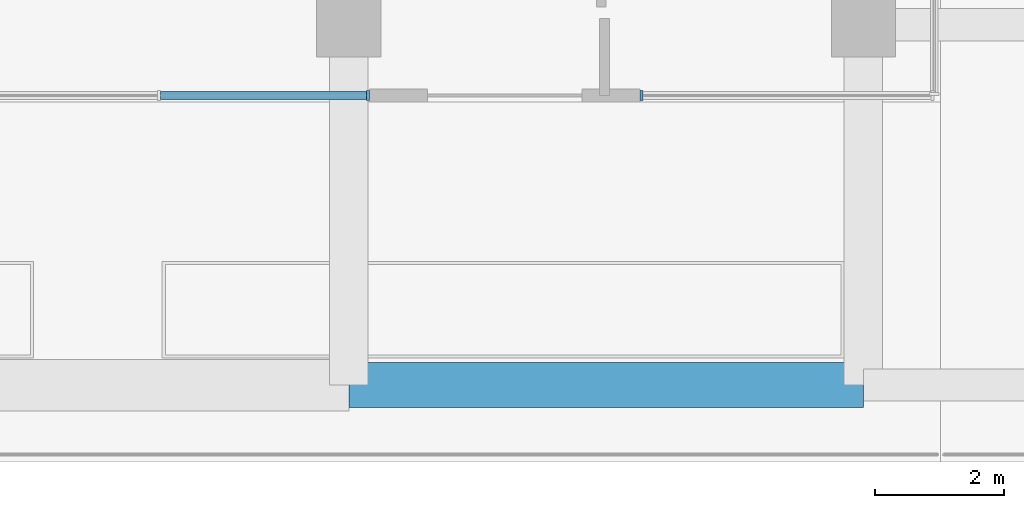
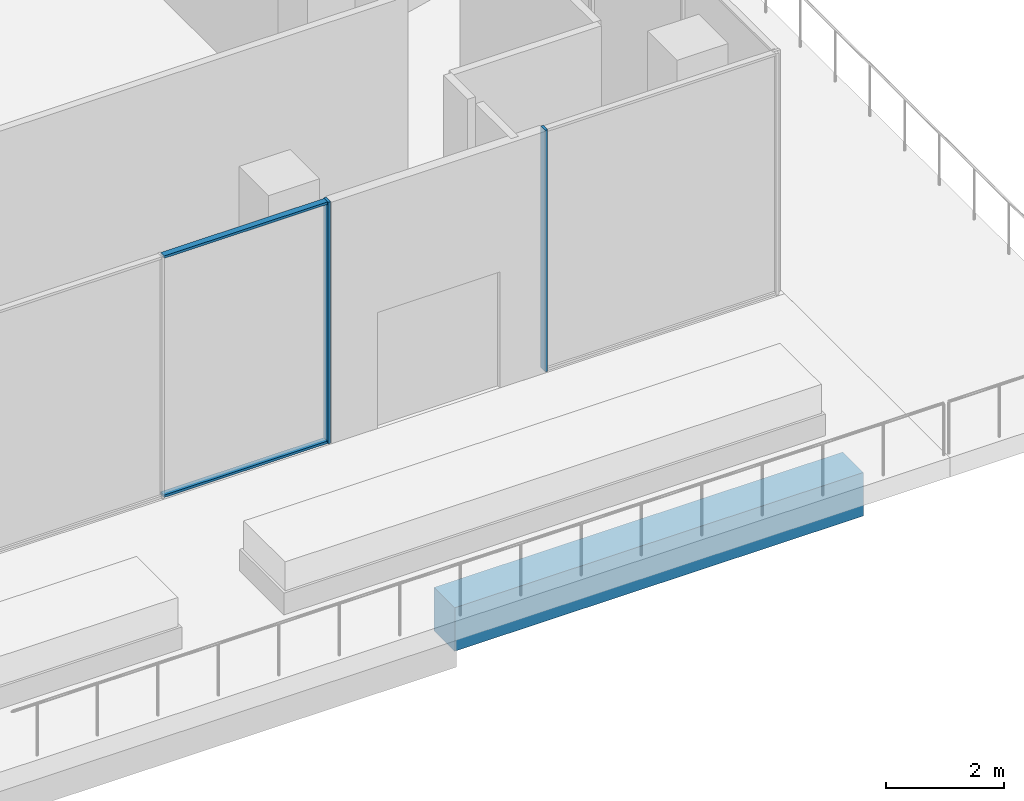
# One storey, part 7 of 32: 4 members, 1 beam, 2 elements without a shape of their own.
"""IFC4 building model written with IfcOpenShell, lengths in metres."""

from ifc_helpers import new_model, si_unit, direction, frame, origin, origin_2d, place, context, subcontext, project, spatial, rectangle, extrude, material, layer, layer_set, material_profile, profile_set, type_object, element, aggregate, save


model = new_model("IFC4")

# Units and contexts
model_context = context("Model", 3, precision=1e-05, world=origin(), true_north=direction((0.0, 1.0)))
body_context = subcontext(model_context, "Body", "Model", "MODEL_VIEW")
ifc_project = project(units=[si_unit("LENGTHUNIT", "METRE"), si_unit("AREAUNIT", "SQUARE_METRE"), si_unit("VOLUMEUNIT", "CUBIC_METRE"), si_unit("PLANEANGLEUNIT", "RADIAN"), si_unit("MASSUNIT", "GRAM", prefix="KILO")], contexts=[model_context])

# Site, building, storey
site_placement = place(None, origin())
site = spatial("IfcSite", under=ifc_project, at=site_placement, CompositionType="ELEMENT")
building_placement = place(site_placement, origin())
building = spatial("IfcBuilding", under=site, at=building_placement, Name="Triada Interchange Tower", CompositionType="ELEMENT")
storey_placement = place(building_placement, frame((0.0, 0.0, 14.5)))
storey = spatial("IfcBuildingStorey", under=building, at=storey_placement, Name="L02", CompositionType="ELEMENT", Elevation=14.5)

# Curtain wall, member
ifc_material_1 = material(Name="Aluminium framed glazing", Category="aluminium")
ifc_layer = layer(ifc_material_1, 0.199951171875)
ifc_layer_set = layer_set([ifc_layer], Name="Curtain wall Retail shopfront")
curtain_wall_type = type_object("IfcCurtainWallType", Name="Curtain wall Retail shopfront", PredefinedType="NOTDEFINED", material=ifc_layer_set)
curtain_wall_1_placement = place(storey_placement, origin())
curtain_wall_1 = element("IfcCurtainWall", 1, at=curtain_wall_1_placement, inside=storey, type_object=curtain_wall_type, Name="Retail shopfront CW007 L02", PredefinedType="NOTDEFINED")
ifc_material_2 = material(Name="Aluminium", Category="aluminium")
ifc_material_profile_1 = material_profile(ifc_material_2, rectangle(XDim=0.14990234375, YDim=0.050048828125, at=origin_2d()), Name="Aluminium mullion")
ifc_profile_set_1 = profile_set([ifc_material_profile_1], Name="Aluminium")
member_type_1 = type_object("IfcMemberType", Name="Mullion Retail shopfront 150x50", PredefinedType="MULLION", material=ifc_profile_set_1)
member_1_placement = place(storey_placement, frame((23.10009765625, -39.199951171875, 0.0), z_axis=(0.0, 0.0, 1.0), x_axis=(0.0, 1.0, 0.0)))
member_1 = element("IfcMember", 2, at=member_1_placement, type_object=member_type_1, Name="CW007 mullion 3", PredefinedType="MULLION", context=body_context, shape_type="SweptSolid", body=[
    extrude(rectangle(XDim=0.14990234375, YDim=0.050048828125, at=origin_2d()), origin(), (0.0, 0.0, 1.0), 5.0),
])

curtain_wall_2_placement = place(storey_placement, origin())
curtain_wall_2 = element("IfcCurtainWall", 3, at=curtain_wall_2_placement, inside=storey, type_object=curtain_wall_type, Name="Retail shopfront CW008 L02", PredefinedType="NOTDEFINED")
member_2_placement = place(storey_placement, frame((27.35009765625, -39.199951171875, 0.0), z_axis=(0.0, 0.0, 1.0), x_axis=(0.0, 1.0, 0.0)))
member_2 = element("IfcMember", 4, at=member_2_placement, type_object=member_type_1, Name="CW008 mullion 1", PredefinedType="MULLION", context=body_context, shape_type="SweptSolid", body=[
    extrude(rectangle(XDim=0.14990234375, YDim=0.050048828125, at=origin_2d()), origin(), (0.0, 0.0, 1.0), 5.0),
])
aggregate(curtain_wall_2, [member_2])

# Beam
ifc_material_3 = material(Name="Concrete C40/50", Category="concrete")
ifc_material_profile_2 = material_profile(ifc_material_3, rectangle(XDim=0.699951171875, YDim=0.89990234375, at=origin_2d()), Name="RC 700x900")
ifc_profile_set_2 = profile_set([ifc_material_profile_2], Name="Concrete C40/50")
beam_type = type_object("IfcBeamType", Name="Terrace beam RC 700x900", PredefinedType="BEAM", material=ifc_profile_set_2)
beam_placement = place(storey_placement, frame((22.800048828125, -43.699951171875, -0.85009765625), z_axis=(1.0, 0.0, 0.0), x_axis=(0.0, 1.0, 0.0)))
element("IfcBeam", 5, at=beam_placement, inside=storey, type_object=beam_type, Name="Terrace beam TE25 L02", PredefinedType="BEAM", context=body_context, shape_type="SweptSolid", body=[
    extrude(rectangle(XDim=0.699951171875, YDim=0.89990234375, at=origin_2d()), origin(), (0.0, 0.0, 1.0), 8.0),
])

# Member
ifc_material_profile_3 = material_profile(ifc_material_2, rectangle(XDim=0.1201171875, YDim=0.050048828125, at=origin_2d()), Name="Aluminium transom")
ifc_profile_set_3 = profile_set([ifc_material_profile_3], Name="Aluminium")
member_type_2 = type_object("IfcMemberType", Name="Transom Retail shopfront 120x50", PredefinedType="USERDEFINED", material=ifc_profile_set_3)
member_3_placement = place(storey_placement, frame((19.875, -39.199951171875, 0.02490234375), z_axis=(1.0, 0.0, 0.0), x_axis=(0.0, 1.0, 0.0)))
member_3 = element("IfcMember", 6, at=member_3_placement, type_object=member_type_2, Name="CW007 transom 2.1", ObjectType="TRANSOM", PredefinedType="USERDEFINED", context=body_context, shape_type="SweptSolid", body=[
    extrude(rectangle(XDim=0.1201171875, YDim=0.050048828125, at=origin_2d()), origin(), (0.0, 0.0, 1.0), 3.199951171875),
])

member_4_placement = place(storey_placement, frame((19.875, -39.199951171875, 4.97509765625), z_axis=(1.0, 0.0, 0.0), x_axis=(0.0, 1.0, 0.0)))
member_4 = element("IfcMember", 7, at=member_4_placement, type_object=member_type_2, Name="CW007 transom 2.2", ObjectType="TRANSOM", PredefinedType="USERDEFINED", context=body_context, shape_type="SweptSolid", body=[
    extrude(rectangle(XDim=0.1201171875, YDim=0.050048828125, at=origin_2d()), origin(), (0.0, 0.0, 1.0), 3.199951171875),
])

aggregate(curtain_wall_1, [member_1, member_3, member_4])

save(model, "model.ifc")
